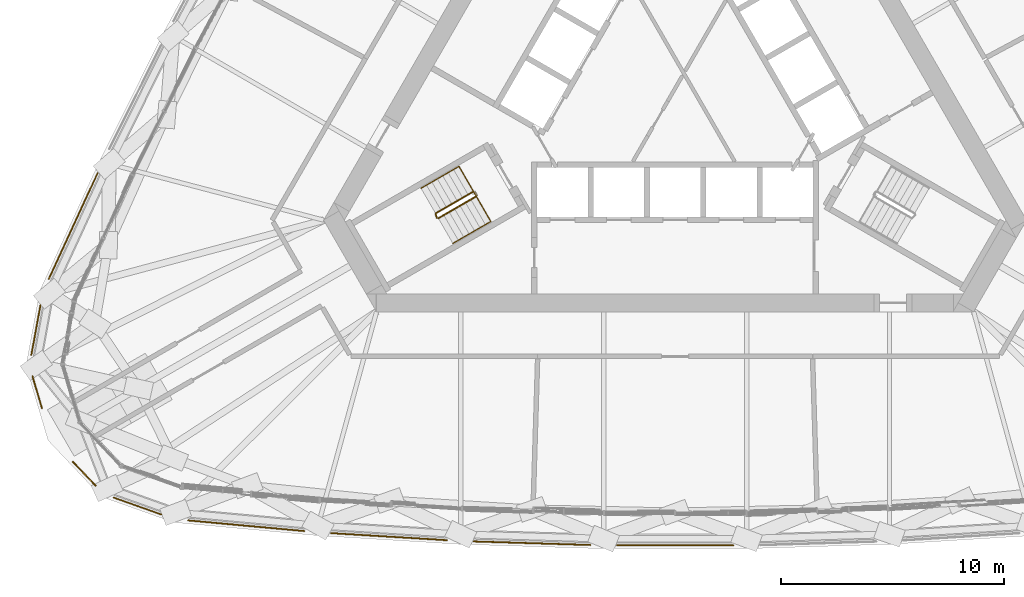
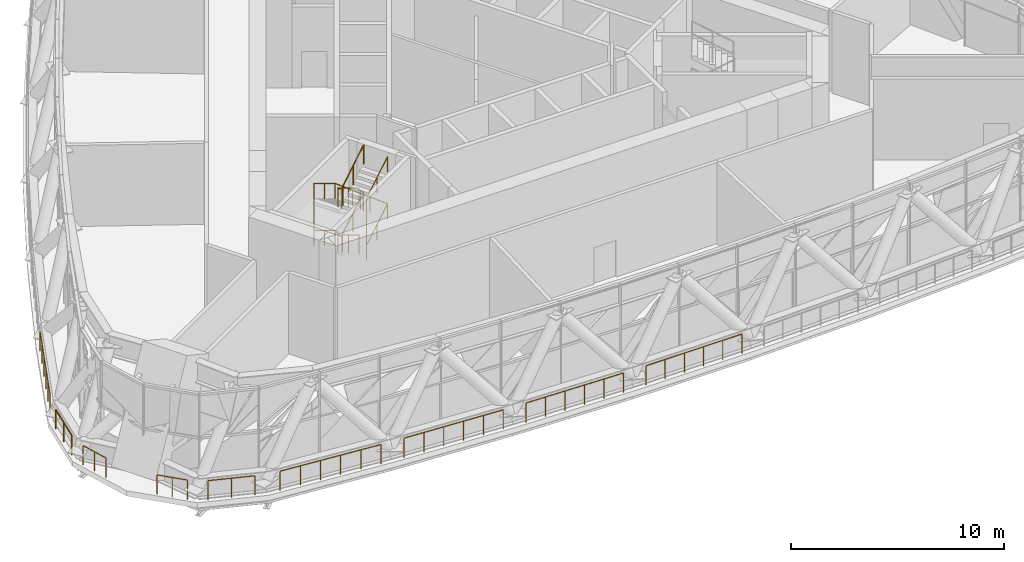
# One storey, part 32 of 35: 14 railings.
"""IFC4 building model written with IfcOpenShell, lengths in metres."""

from ifc_helpers import new_model, si_unit, direction, frame, origin, origin_2d, place, context, subcontext, project, spatial, circle, extrude, material, type_object, element, save


model = new_model("IFC4")

# Units and contexts
model_context = context("Model", 3, precision=1e-05, world=origin(), true_north=direction((0.0, 1.0)))
body_context = subcontext(model_context, "Body", "Model", "MODEL_VIEW")
ifc_project = project(units=[si_unit("LENGTHUNIT", "METRE"), si_unit("AREAUNIT", "SQUARE_METRE"), si_unit("VOLUMEUNIT", "CUBIC_METRE"), si_unit("PLANEANGLEUNIT", "RADIAN"), si_unit("MASSUNIT", "GRAM", prefix="KILO")], contexts=[model_context])

# Site, building, storey
site_placement = place(None, origin())
site = spatial("IfcSite", under=ifc_project, at=site_placement, CompositionType="ELEMENT")
building_placement = place(site_placement, origin())
building = spatial("IfcBuilding", under=site, at=building_placement, Name="Mestral Congress Tower", CompositionType="ELEMENT")
storey_placement = place(building_placement, frame((0.0, 0.0, 196.199951171875)))
storey = spatial("IfcBuildingStorey", under=building, at=storey_placement, Name="L46", CompositionType="ELEMENT", Elevation=196.199951171875)

# Railings
ifc_material_1 = material(Name="Stainless steel", Category="steel")
railing_type_1 = type_object("IfcRailingType", Name="Facade guard 1120 steel and glass", PredefinedType="GUARDRAIL", material=ifc_material_1)
railing_1_placement = place(storey_placement, frame((-21.799072265625, -19.789794921875, 0.0)))
element("IfcRailing", 1, at=railing_1_placement, inside=storey, type_object=railing_type_1, Name="Band guard F0-00", PredefinedType="GUARDRAIL", context=body_context, shape_type="SweptSolid", body=[
    extrude(circle(Radius=0.02392578125, at=origin_2d()), frame((0.0, 0.0, 1.09619140625), z_axis=(0.995809103863, -0.091456157058, 0.0), x_axis=(0.091456157058, 0.995809103863, 0.0)), (0.0, 0.0, 1.0), 5.21337890625),
    extrude(circle(Radius=0.02099609375, at=origin_2d()), origin(), (0.0, 0.0, 1.0), 1.072021484375),
    extrude(circle(Radius=0.02099609375, at=origin_2d()), frame((1.038330078125, -0.095458984375, 0.0)), (0.0, 0.0, 1.0), 1.072021484375),
    extrude(circle(Radius=0.02099609375, at=origin_2d()), frame((2.07666015625, -0.190673828125, 0.0)), (0.0, 0.0, 1.0), 1.072021484375),
    extrude(circle(Radius=0.02099609375, at=origin_2d()), frame((3.114990234375, -0.2861328125, 0.0)), (0.0, 0.0, 1.0), 1.072021484375),
    extrude(circle(Radius=0.02099609375, at=origin_2d()), frame((4.1533203125, -0.38134765625, 0.0)), (0.0, 0.0, 1.0), 1.072021484375),
    extrude(circle(Radius=0.02099609375, at=origin_2d()), frame((5.191650390625, -0.476806640625, 0.0)), (0.0, 0.0, 1.0), 1.072021484375),
])
railing_2_placement = place(storey_placement, frame((-15.40576171875, -20.3583984375, 0.0)))
element("IfcRailing", 2, at=railing_2_placement, inside=storey, type_object=railing_type_1, Name="Band guard F0-01", PredefinedType="GUARDRAIL", context=body_context, shape_type="SweptSolid", body=[
    extrude(circle(Radius=0.02392578125, at=origin_2d()), frame((0.0, 0.0, 1.09619140625), z_axis=(0.99813815212, -0.060993682324, 0.0), x_axis=(0.060993682324, 0.99813815212, 0.0)), (0.0, 0.0, 1.0), 5.20361328125),
    extrude(circle(Radius=0.02099609375, at=origin_2d()), origin(), (0.0, 0.0, 1.0), 1.072021484375),
    extrude(circle(Radius=0.02099609375, at=origin_2d()), frame((1.038818359375, -0.0634765625, 0.0)), (0.0, 0.0, 1.0), 1.072021484375),
    extrude(circle(Radius=0.02099609375, at=origin_2d()), frame((2.07763671875, -0.126953125, 0.0)), (0.0, 0.0, 1.0), 1.072021484375),
    extrude(circle(Radius=0.02099609375, at=origin_2d()), frame((3.1162109375, -0.1904296875, 0.0)), (0.0, 0.0, 1.0), 1.072021484375),
    extrude(circle(Radius=0.02099609375, at=origin_2d()), frame((4.155029296875, -0.25390625, 0.0)), (0.0, 0.0, 1.0), 1.072021484375),
    extrude(circle(Radius=0.02099609375, at=origin_2d()), frame((5.19384765625, -0.3173828125, 0.0)), (0.0, 0.0, 1.0), 1.072021484375),
])
railing_3_placement = place(storey_placement, frame((-9.0078125, -20.73095703125, 0.0)))
element("IfcRailing", 3, at=railing_3_placement, inside=storey, type_object=railing_type_1, Name="Band guard F0-02", PredefinedType="GUARDRAIL", context=body_context, shape_type="SweptSolid", body=[
    extrude(circle(Radius=0.02392578125, at=origin_2d()), frame((0.0, 0.0, 1.09619140625), z_axis=(0.99953339821, -0.030544817267, 0.0), x_axis=(0.030544817267, 0.99953339821, 0.0)), (0.0, 0.0, 1.0), 5.203369140625),
    extrude(circle(Radius=0.02099609375, at=origin_2d()), origin(), (0.0, 0.0, 1.0), 1.072021484375),
    extrude(circle(Radius=0.02099609375, at=origin_2d()), frame((1.040283203125, -0.03173828125, 0.0)), (0.0, 0.0, 1.0), 1.072021484375),
    extrude(circle(Radius=0.02099609375, at=origin_2d()), frame((2.080322265625, -0.0634765625, 0.0)), (0.0, 0.0, 1.0), 1.072021484375),
    extrude(circle(Radius=0.02099609375, at=origin_2d()), frame((3.12060546875, -0.095458984375, 0.0)), (0.0, 0.0, 1.0), 1.072021484375),
    extrude(circle(Radius=0.02099609375, at=origin_2d()), frame((4.16064453125, -0.127197265625, 0.0)), (0.0, 0.0, 1.0), 1.072021484375),
    extrude(circle(Radius=0.02099609375, at=origin_2d()), frame((5.200927734375, -0.158935546875, 0.0)), (0.0, 0.0, 1.0), 1.072021484375),
])
railing_4_placement = place(storey_placement, frame((-2.601806640625, -20.908203125, 0.0)))
element("IfcRailing", 4, at=railing_4_placement, inside=storey, type_object=railing_type_1, Name="Band guard F0-03", PredefinedType="GUARDRAIL", context=body_context, shape_type="SweptSolid", body=[
    extrude(circle(Radius=0.02392578125, at=origin_2d()), frame((0.0, 0.0, 1.09619140625), z_axis=(1.0, 0.0, 0.0), x_axis=(0.0, 1.0, 0.0)), (0.0, 0.0, 1.0), 5.20361328125),
    extrude(circle(Radius=0.02099609375, at=origin_2d()), origin(), (0.0, 0.0, 1.0), 1.072021484375),
    extrude(circle(Radius=0.02099609375, at=origin_2d()), frame((1.040771484375, 0.0, 0.0)), (0.0, 0.0, 1.0), 1.072021484375),
    extrude(circle(Radius=0.02099609375, at=origin_2d()), frame((2.08154296875, 0.0, 0.0)), (0.0, 0.0, 1.0), 1.072021484375),
    extrude(circle(Radius=0.02099609375, at=origin_2d()), frame((3.1220703125, 0.0, 0.0)), (0.0, 0.0, 1.0), 1.072021484375),
    extrude(circle(Radius=0.02099609375, at=origin_2d()), frame((4.162841796875, 0.0, 0.0)), (0.0, 0.0, 1.0), 1.072021484375),
    extrude(circle(Radius=0.02099609375, at=origin_2d()), frame((5.20361328125, 0.0, 0.0)), (0.0, 0.0, 1.0), 1.072021484375),
])
railing_5_placement = place(storey_placement, frame((-25.85498046875, -4.249267578125, 0.0)))
element("IfcRailing", 5, at=railing_5_placement, inside=storey, type_object=railing_type_1, Name="Band guard F2-06", PredefinedType="GUARDRAIL", context=body_context, shape_type="SweptSolid", body=[
    extrude(circle(Radius=0.02392578125, at=origin_2d()), frame((0.0, 0.0, 1.09619140625), z_axis=(-0.418704752472, -0.908122420303, 0.0), x_axis=(0.908122420303, -0.418704752472, 0.0)), (0.0, 0.0, 1.0), 5.21337890625),
    extrude(circle(Radius=0.02099609375, at=origin_2d()), origin(), (0.0, 0.0, 1.0), 1.072021484375),
    extrude(circle(Radius=0.02099609375, at=origin_2d()), frame((-0.4365234375, -0.94677734375, 0.0)), (0.0, 0.0, 1.0), 1.072021484375),
    extrude(circle(Radius=0.02099609375, at=origin_2d()), frame((-0.873046875, -1.893798828125, 0.0)), (0.0, 0.0, 1.0), 1.072021484375),
    extrude(circle(Radius=0.02099609375, at=origin_2d()), frame((-1.309814453125, -2.840576171875, 0.0)), (0.0, 0.0, 1.0), 1.072021484375),
    extrude(circle(Radius=0.02099609375, at=origin_2d()), frame((-1.746337890625, -3.78759765625, 0.0)), (0.0, 0.0, 1.0), 1.072021484375),
    extrude(circle(Radius=0.02099609375, at=origin_2d()), frame((-2.182861328125, -4.734375, 0.0)), (0.0, 0.0, 1.0), 1.072021484375),
])
railing_6_placement = place(storey_placement, frame((-28.412353515625, -10.1630859375, 0.0)))
element("IfcRailing", 6, at=railing_6_placement, inside=storey, type_object=railing_type_1, Name="Band guard K2-0", PredefinedType="GUARDRAIL", context=body_context, shape_type="SweptSolid", body=[
    extrude(circle(Radius=0.02392578125, at=origin_2d()), frame((0.0, 0.0, 1.09619140625), z_axis=(-0.180632244252, -0.983550706541, 0.0), x_axis=(0.983550706541, -0.180632244252, 0.0)), (0.0, 0.0, 1.0), 2.25048828125),
    extrude(circle(Radius=0.02099609375, at=origin_2d()), origin(), (0.0, 0.0, 1.0), 1.072021484375),
    extrude(circle(Radius=0.02099609375, at=origin_2d()), frame((-0.203125, -1.106689453125, 0.0)), (0.0, 0.0, 1.0), 1.072021484375),
    extrude(circle(Radius=0.02099609375, at=origin_2d()), frame((-0.406494140625, -2.21337890625, 0.0)), (0.0, 0.0, 1.0), 1.072021484375),
])
railing_7_placement = place(storey_placement, frame((-28.76708984375, -13.345703125, 0.0)))
element("IfcRailing", 7, at=railing_7_placement, inside=storey, type_object=railing_type_1, Name="Band guard K2-1", PredefinedType="GUARDRAIL", context=body_context, shape_type="SweptSolid", body=[
    extrude(circle(Radius=0.02392578125, at=origin_2d()), frame((0.0, 0.0, 1.09619140625), z_axis=(0.284565163342, -0.958656699665, 0.0), x_axis=(0.958656699665, 0.284565163342, 0.0)), (0.0, 0.0, 1.0), 1.481689453125),
    extrude(circle(Radius=0.02099609375, at=origin_2d()), origin(), (0.0, 0.0, 1.0), 1.072021484375),
    extrude(circle(Radius=0.02099609375, at=origin_2d()), frame((0.2109375, -0.710205078125, 0.0)), (0.0, 0.0, 1.0), 1.072021484375),
    extrude(circle(Radius=0.02099609375, at=origin_2d()), frame((0.421630859375, -1.42041015625, 0.0)), (0.0, 0.0, 1.0), 1.072021484375),
])
railing_8_placement = place(storey_placement, frame((-26.960693359375, -17.164794921875, 0.0)))
element("IfcRailing", 8, at=railing_8_placement, inside=storey, type_object=railing_type_1, Name="Band guard K2-2", PredefinedType="GUARDRAIL", context=body_context, shape_type="SweptSolid", body=[
    extrude(circle(Radius=0.02392578125, at=origin_2d()), frame((0.0, 0.0, 1.09619140625), z_axis=(0.687986858937, -0.725723144133, 0.0), x_axis=(0.725723144133, 0.687986858937, 0.0)), (0.0, 0.0, 1.0), 1.4814453125),
    extrude(circle(Radius=0.02099609375, at=origin_2d()), origin(), (0.0, 0.0, 1.0), 1.072021484375),
    extrude(circle(Radius=0.02099609375, at=origin_2d()), frame((0.509765625, -0.53759765625, 0.0)), (0.0, 0.0, 1.0), 1.072021484375),
    extrude(circle(Radius=0.02099609375, at=origin_2d()), frame((1.019287109375, -1.0751953125, 0.0)), (0.0, 0.0, 1.0), 1.072021484375),
])
railing_9_placement = place(storey_placement, frame((-25.127685546875, -18.769775390625, 0.0)))
element("IfcRailing", 9, at=railing_9_placement, inside=storey, type_object=railing_type_1, Name="Band guard K2-3", PredefinedType="GUARDRAIL", context=body_context, shape_type="SweptSolid", body=[
    extrude(circle(Radius=0.02392578125, at=origin_2d()), frame((0.0, 0.0, 1.09619140625), z_axis=(0.942121801978, -0.335270801349, 0.0), x_axis=(0.335270801349, 0.942121801978, 0.0)), (0.0, 0.0, 1.0), 2.25),
    extrude(circle(Radius=0.02099609375, at=origin_2d()), origin(), (0.0, 0.0, 1.0), 1.072021484375),
    extrude(circle(Radius=0.02099609375, at=origin_2d()), frame((1.06005859375, -0.377197265625, 0.0)), (0.0, 0.0, 1.0), 1.072021484375),
    extrude(circle(Radius=0.02099609375, at=origin_2d()), frame((2.119873046875, -0.75439453125, 0.0)), (0.0, 0.0, 1.0), 1.072021484375),
])
ifc_material_2 = material(Name="Steel balustrade", Category="steel")
railing_type_2 = type_object("IfcRailingType", Name="Stair guard 1100", PredefinedType="GUARDRAIL", material=ifc_material_2)
railing_10_placement = place(storey_placement, frame((-9.02587890625, -5.066650390625, 0.168701171875)))
element("IfcRailing", 10, at=railing_10_placement, inside=storey, type_object=railing_type_2, Name="L46 ST3 stair guard 1", PredefinedType="GUARDRAIL", context=body_context, shape_type="SweptSolid", body=[
    extrude(circle(Radius=0.02392578125, at=origin_2d()), frame((0.0, 0.0, 1.076171875), z_axis=(-0.741730552229, -0.428204578836, 0.516213741153), x_axis=(0.499970440388, -0.866042469362, 0.0)), (0.0, 0.0, 1.0), 2.28857421875),
    extrude(circle(Radius=0.02392578125, at=origin_2d()), frame((-1.697509765625, -0.97998046875, 2.25732421875), z_axis=(0.275815366736, -0.96121063429, 0.0), x_axis=(0.96121063429, 0.275815366736, 0.0)), (0.0, 0.0, 1.0), 0.206298828125),
    extrude(circle(Radius=0.02099609375, at=origin_2d()), origin(), (0.0, 0.0, 1.0), 1.052001953125),
    extrude(circle(Radius=0.02099609375, at=origin_2d()), frame((-0.8486328125, -0.489990234375, 0.5908203125)), (0.0, 0.0, 1.0), 1.052001953125),
    extrude(circle(Radius=0.02099609375, at=origin_2d()), frame((-1.697509765625, -0.97998046875, 1.181396484375)), (0.0, 0.0, 1.0), 1.052001953125),
    extrude(circle(Radius=0.02099609375, at=origin_2d()), frame((-1.640625, -1.17822265625, 1.181396484375)), (0.0, 0.0, 1.0), 1.052001953125),
])
railing_11_placement = place(storey_placement, frame((-10.598388671875, -6.26318359375, 1.518798828125)))
element("IfcRailing", 11, at=railing_11_placement, inside=storey, type_object=railing_type_2, Name="L46 ST3 stair guard 2", PredefinedType="GUARDRAIL", context=body_context, shape_type="SweptSolid", body=[
    extrude(circle(Radius=0.02392578125, at=origin_2d()), frame((0.0, 0.0, 1.076171875), z_axis=(0.741771397394, 0.428228158944, 0.516135484049), x_axis=(-0.499970440388, 0.866042469362, 0.0)), (0.0, 0.0, 1.0), 2.28857421875),
    extrude(circle(Radius=0.02392578125, at=origin_2d()), frame((1.697509765625, 0.97998046875, 2.25732421875), z_axis=(0.258736085224, 0.965948051503, 0.0), x_axis=(-0.965948051503, 0.258736085224, 0.0)), (0.0, 0.0, 1.0), 0.07080078125),
    extrude(circle(Radius=0.02392578125, at=origin_2d()), frame((1.7158203125, 1.04833984375, 2.25732421875), z_axis=(-0.499816412211, 0.866131372301, 0.0), x_axis=(-0.866131372301, -0.499816412211, 0.0)), (0.0, 0.0, 1.0), 0.14990234375),
    extrude(circle(Radius=0.02099609375, at=origin_2d()), origin(), (0.0, 0.0, 1.0), 1.052001953125),
    extrude(circle(Radius=0.02099609375, at=origin_2d()), frame((0.8486328125, 0.489990234375, 0.590576171875)), (0.0, 0.0, 1.0), 1.052001953125),
    extrude(circle(Radius=0.02099609375, at=origin_2d()), frame((1.697509765625, 0.97998046875, 1.18115234375)), (0.0, 0.0, 1.0), 1.052001953125),
    extrude(circle(Radius=0.02099609375, at=origin_2d()), frame((1.7158203125, 1.04833984375, 1.18115234375)), (0.0, 0.0, 1.0), 1.052001953125),
    extrude(circle(Radius=0.02099609375, at=origin_2d()), frame((1.640869140625, 1.17822265625, 1.18115234375)), (0.0, 0.0, 1.0), 1.052001953125),
])
railing_12_placement = place(storey_placement, frame((-9.02587890625, -5.066650390625, 2.868896484375)))
element("IfcRailing", 12, at=railing_12_placement, inside=storey, type_object=railing_type_2, Name="L46 ST3 stair guard 3", PredefinedType="GUARDRAIL", context=body_context, shape_type="SweptSolid", body=[
    extrude(circle(Radius=0.02392578125, at=origin_2d()), frame((0.0, 0.0, 1.076171875), z_axis=(-0.741771397394, -0.428228158944, 0.516135484049), x_axis=(0.499970440388, -0.866042469362, 0.0)), (0.0, 0.0, 1.0), 2.28857421875),
    extrude(circle(Radius=0.02392578125, at=origin_2d()), frame((-1.697509765625, -0.97998046875, 2.25732421875), z_axis=(0.275815366736, -0.96121063429, 0.0), x_axis=(0.96121063429, 0.275815366736, 0.0)), (0.0, 0.0, 1.0), 0.206298828125),
    extrude(circle(Radius=0.02099609375, at=origin_2d()), origin(), (0.0, 0.0, 1.0), 1.052001953125),
    extrude(circle(Radius=0.02099609375, at=origin_2d()), frame((-0.8486328125, -0.489990234375, 0.590576171875)), (0.0, 0.0, 1.0), 1.052001953125),
    extrude(circle(Radius=0.02099609375, at=origin_2d()), frame((-1.697509765625, -0.97998046875, 1.18115234375)), (0.0, 0.0, 1.0), 1.052001953125),
    extrude(circle(Radius=0.02099609375, at=origin_2d()), frame((-1.640625, -1.17822265625, 1.18115234375)), (0.0, 0.0, 1.0), 1.052001953125),
])
railing_13_placement = place(storey_placement, frame((-10.598388671875, -6.26318359375, 4.21875)))
element("IfcRailing", 13, at=railing_13_placement, inside=storey, type_object=railing_type_2, Name="L46 ST3 stair guard 4", PredefinedType="GUARDRAIL", context=body_context, shape_type="SweptSolid", body=[
    extrude(circle(Radius=0.02392578125, at=origin_2d()), frame((0.0, 0.0, 1.076171875), z_axis=(0.741730552229, 0.428204578836, 0.516213741153), x_axis=(-0.499970440388, 0.866042469362, 0.0)), (0.0, 0.0, 1.0), 2.28857421875),
    extrude(circle(Radius=0.02099609375, at=origin_2d()), origin(), (0.0, 0.0, 1.0), 1.052001953125),
    extrude(circle(Radius=0.02099609375, at=origin_2d()), frame((0.8486328125, 0.489990234375, 0.5908203125)), (0.0, 0.0, 1.0), 1.052001953125),
    extrude(circle(Radius=0.02099609375, at=origin_2d()), frame((1.697509765625, 0.97998046875, 1.181396484375)), (0.0, 0.0, 1.0), 1.052001953125),
])
ifc_material_3 = material(Name="Steel handrail", Category="steel")
railing_type_3 = type_object("IfcRailingType", Name="Stair handrail 900", PredefinedType="HANDRAIL", material=ifc_material_3)
railing_14_placement = place(storey_placement, frame((-9.67578125, -3.94091796875, 0.168701171875)))
element("IfcRailing", 14, at=railing_14_placement, inside=storey, type_object=railing_type_3, Name="L46 ST3 stair handrail 1", PredefinedType="HANDRAIL", context=body_context, shape_type="SweptSolid", body=[
    extrude(circle(Radius=0.02392578125, at=origin_2d()), frame((0.0, 0.0, 0.8759765625), z_axis=(-0.741730552229, -0.428204578836, 0.516213741153), x_axis=(0.499970440388, -0.866042469362, 0.0)), (0.0, 0.0, 1.0), 2.28857421875),
    extrude(circle(Radius=0.02392578125, at=origin_2d()), frame((-1.697509765625, -0.97998046875, 2.05712890625), z_axis=(0.0, 0.0, 1.0), x_axis=(1.0, 0.0, 0.0)), (0.0, 0.0, 1.0), 2.699951171875),
    extrude(circle(Radius=0.02392578125, at=origin_2d()), frame((-1.697509765625, -0.97998046875, 4.75732421875), z_axis=(0.741771397394, 0.428228158944, -0.516135484049), x_axis=(-0.499970440388, 0.866042469362, 0.0)), (0.0, 0.0, 1.0), 2.28857421875),
    extrude(circle(Radius=0.02392578125, at=origin_2d()), frame((0.0, 0.0, 3.576171875), z_axis=(0.499058937937, -0.86454521291, -0.059175597165), x_axis=(0.866062911188, 0.499935029643, 0.0)), (0.0, 0.0, 1.0), 2.85498046875),
    extrude(circle(Radius=0.02392578125, at=origin_2d()), frame((1.4248046875, -2.46826171875, 3.4072265625), z_axis=(-0.74172340804, -0.428262048313, -0.516176330279), x_axis=(0.500024377727, -0.866011328839, 0.0)), (0.0, 0.0, 1.0), 2.288330078125),
    extrude(circle(Radius=0.02392578125, at=origin_2d()), frame((-0.2724609375, -3.4482421875, 2.22607421875), z_axis=(0.0, 0.0, 1.0), x_axis=(1.0, 0.0, 0.0)), (0.0, 0.0, 1.0), 2.699951171875),
    extrude(circle(Radius=0.02392578125, at=origin_2d()), frame((-0.2724609375, -3.4482421875, 4.92578125), z_axis=(0.741682559053, 0.428238462606, 0.516254589076), x_axis=(-0.500024377727, 0.866011328839, 0.0)), (0.0, 0.0, 1.0), 2.288330078125),
    extrude(circle(Radius=0.02099609375, at=origin_2d()), origin(), (0.0, 0.0, 1.0), 0.851806640625),
    extrude(circle(Radius=0.02099609375, at=origin_2d()), frame((-0.8486328125, -0.489990234375, 0.5908203125)), (0.0, 0.0, 1.0), 0.851806640625),
    extrude(circle(Radius=0.02099609375, at=origin_2d()), frame((-1.697509765625, -0.97998046875, 1.181396484375)), (0.0, 0.0, 1.0), 0.851806640625),
    extrude(circle(Radius=0.02099609375, at=origin_2d()), frame((-1.697509765625, -0.97998046875, 2.081298828125)), (0.0, 0.0, 1.0), 0.851806640625),
    extrude(circle(Radius=0.02099609375, at=origin_2d()), frame((-1.697509765625, -0.97998046875, 2.9814453125)), (0.0, 0.0, 1.0), 0.851806640625),
    extrude(circle(Radius=0.02099609375, at=origin_2d()), frame((-1.697509765625, -0.97998046875, 3.88134765625)), (0.0, 0.0, 1.0), 0.851806640625),
    extrude(circle(Radius=0.02099609375, at=origin_2d()), frame((-0.8486328125, -0.489990234375, 3.290771484375)), (0.0, 0.0, 1.0), 0.851806640625),
    extrude(circle(Radius=0.02099609375, at=origin_2d()), frame((0.0, 0.0, 2.7001953125)), (0.0, 0.0, 1.0), 0.851806640625),
    extrude(circle(Radius=0.02099609375, at=origin_2d()), frame((0.474853515625, -0.82275390625, 2.643798828125)), (0.0, 0.0, 1.0), 0.851806640625),
    extrude(circle(Radius=0.02099609375, at=origin_2d()), frame((0.949951171875, -1.6455078125, 2.587646484375)), (0.0, 0.0, 1.0), 0.851806640625),
    extrude(circle(Radius=0.02099609375, at=origin_2d()), frame((1.4248046875, -2.46826171875, 2.53125)), (0.0, 0.0, 1.0), 0.851806640625),
    extrude(circle(Radius=0.02099609375, at=origin_2d()), frame((0.576171875, -2.958251953125, 1.940673828125)), (0.0, 0.0, 1.0), 0.851806640625),
    extrude(circle(Radius=0.02099609375, at=origin_2d()), frame((-0.2724609375, -3.4482421875, 1.35009765625)), (0.0, 0.0, 1.0), 0.851806640625),
    extrude(circle(Radius=0.02099609375, at=origin_2d()), frame((-0.2724609375, -3.4482421875, 2.25)), (0.0, 0.0, 1.0), 0.851806640625),
    extrude(circle(Radius=0.02099609375, at=origin_2d()), frame((-0.2724609375, -3.4482421875, 3.150146484375)), (0.0, 0.0, 1.0), 0.851806640625),
    extrude(circle(Radius=0.02099609375, at=origin_2d()), frame((-0.2724609375, -3.4482421875, 4.050048828125)), (0.0, 0.0, 1.0), 0.851806640625),
    extrude(circle(Radius=0.02099609375, at=origin_2d()), frame((0.576171875, -2.958251953125, 4.640625)), (0.0, 0.0, 1.0), 0.851806640625),
    extrude(circle(Radius=0.02099609375, at=origin_2d()), frame((1.4248046875, -2.46826171875, 5.2314453125)), (0.0, 0.0, 1.0), 0.851806640625),
])

save(model, "model.ifc")
